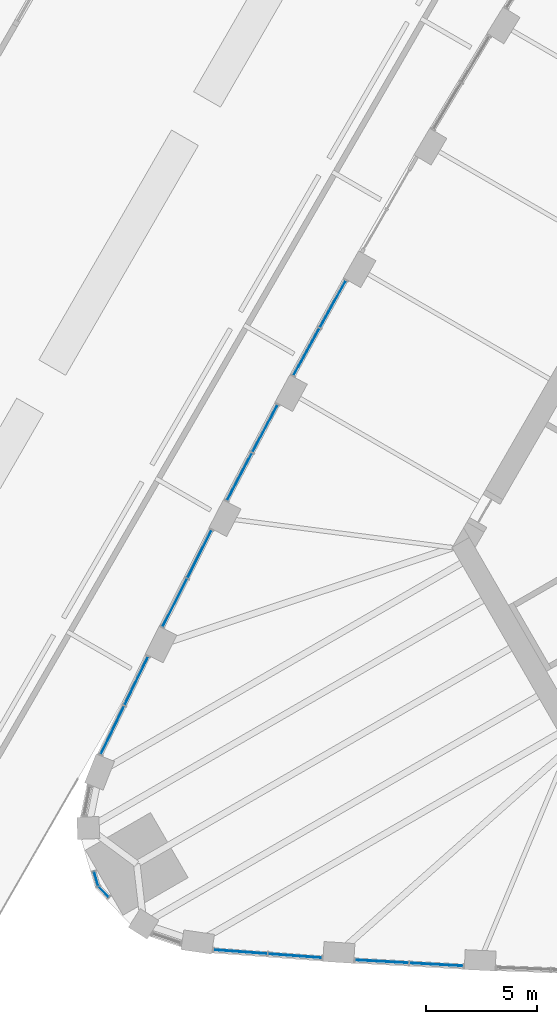
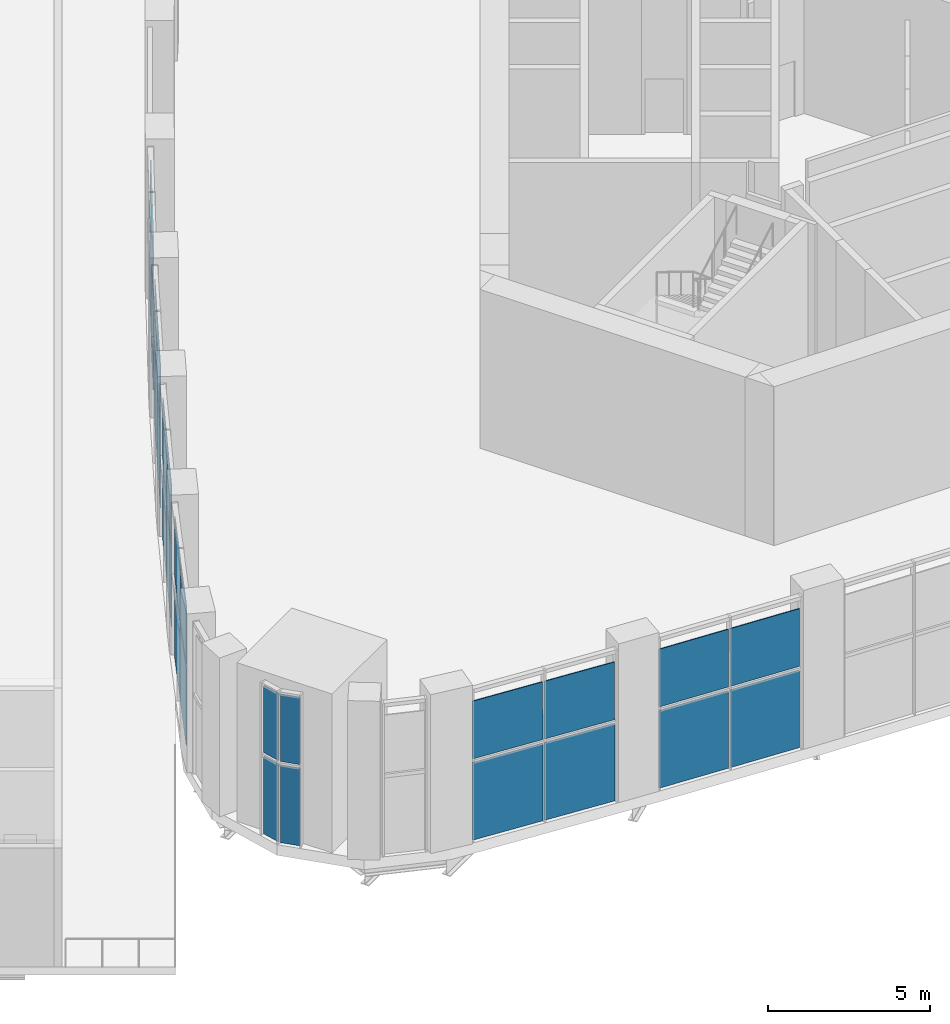
# One storey, part 17 of 41: 28 plates, 3 elements without a shape of their own.
"""IFC4 building model written with IfcOpenShell, lengths in metres."""

import ifcopenshell
import ifcopenshell.guid

model = None  # the IFC model being written
_history = None  # IfcOwnerHistory: only IFC2X3 demands one
_inside = {}  # id of a spatial element -> (the spatial element, [elements in it])
_under = {}  # id of a project, library or spatial element -> (it, [spatial elements below it])
_declared = {}  # id of a project -> (the project, [libraries it declares])
_typed = {}  # id of a type object -> (the type object, [elements of that type])
_made_of = {}  # id of a material, layer set ... -> (it, [elements and type objects made of it])


def new_model(schema):
    """Start an empty IFC model of exactly this schema.

    Asked for "IFC4X3", IfcOpenShell would pick the latest addendum, in which some entities
    have other attributes; the version numbers below select the first issue.
    IFC2X3 requires an IfcOwnerHistory on every rooted entity: one is made here for all.
    """
    global model, _history
    if schema == "IFC4X3":
        model = ifcopenshell.file(schema_version=(4, 3, 0, 0))
    else:
        model = ifcopenshell.file(schema=schema)
    _inside.clear()
    _under.clear()
    _declared.clear()
    _typed.clear()
    _made_of.clear()
    _history = None
    if model.schema == "IFC2X3":
        org = make("IfcOrganization", Name="unknown")
        user = make(
            "IfcPersonAndOrganization",
            ThePerson=make("IfcPerson", FamilyName="unknown"),
            TheOrganization=org,
        )
        app = make(
            "IfcApplication",
            ApplicationDeveloper=org,
            Version="unknown",
            ApplicationFullName="unknown",
            ApplicationIdentifier="unknown",
        )
        _history = make(
            "IfcOwnerHistory",
            OwningUser=user,
            OwningApplication=app,
            ChangeAction="ADDED",
            CreationDate=0,
        )
    return model


def make(cls, **values):
    """One entity of the class cls with the attributes given. An attribute that is None is left unset."""
    return model.create_entity(
        cls, **{name: value for name, value in values.items() if value is not None}
    )


def rooted(cls, **values):
    """An entity with a GlobalId (a new one), such as an element, a storey or a relation."""
    return make(cls, GlobalId=ifcopenshell.guid.new(), OwnerHistory=_history, **values)


def si_unit(unit_type, name, prefix=None):
    """IfcSIUnit, for example si_unit("LENGTHUNIT", "METRE", prefix="MILLI")."""
    return make("IfcSIUnit", UnitType=unit_type, Prefix=prefix, Name=name)


def assignment(units):
    """IfcUnitAssignment: the units of a project."""
    return None if units is None else make("IfcUnitAssignment", Units=units)


def point(xyz):
    """IfcCartesianPoint."""
    return None if xyz is None else make("IfcCartesianPoint", Coordinates=xyz)


def direction(xyz):
    """IfcDirection."""
    return None if xyz is None else make("IfcDirection", DirectionRatios=xyz)


def frame(location, z_axis=None, x_axis=None):
    """IfcAxis2Placement3D, a coordinate frame: its origin and axes. An axis left out is left unset."""
    return make(
        "IfcAxis2Placement3D",
        Location=point(location),
        Axis=direction(z_axis),
        RefDirection=direction(x_axis),
    )


def frame_2d(location, x_axis=None):
    """IfcAxis2Placement2D, a coordinate frame in the plane: its origin and x axis."""
    return make(
        "IfcAxis2Placement2D", Location=point(location), RefDirection=direction(x_axis)
    )


def origin():
    """The frame at (0, 0, 0) with its axes left unset."""
    return frame((0.0, 0.0, 0.0))


def origin_2d():
    """The frame at (0, 0) in the plane with its x axis left unset."""
    return frame_2d((0.0, 0.0))


def place(relative_to, where):
    """IfcLocalPlacement: puts the frame where relative to a parent placement (None: the world)."""
    return make(
        "IfcLocalPlacement", PlacementRelTo=relative_to, RelativePlacement=where
    )


def context(
    kind, dimensions, precision=None, world=None, true_north=None, identifier=None
):
    """IfcGeometricRepresentationContext, for example the 3D "Model" context."""
    return make(
        "IfcGeometricRepresentationContext",
        ContextIdentifier=identifier,
        ContextType=kind,
        CoordinateSpaceDimension=dimensions,
        Precision=precision,
        WorldCoordinateSystem=world,
        TrueNorth=true_north,
    )


def subcontext(parent, identifier, kind, view, scale=None):
    """IfcGeometricRepresentationSubContext, for example "Body" below "Model"."""
    return make(
        "IfcGeometricRepresentationSubContext",
        ContextIdentifier=identifier,
        ContextType=kind,
        ParentContext=parent,
        TargetScale=scale,
        TargetView=view,
    )


def project(units=None, contexts=None):
    """IfcProject with its units and contexts."""
    return rooted(
        "IfcProject",
        Name="project",
        RepresentationContexts=contexts,
        UnitsInContext=assignment(units),
    )


def spatial(cls, under=None, at=None, **own):
    """A site, building, storey or space (cls), placed at a placement, below another one or the project."""
    s = rooted(cls, ObjectPlacement=at, **own)
    if under is not None:
        _under.setdefault(under.id(), (under, []))[1].append(s)
    return s


def polyline(points):
    """IfcPolyline through the points."""
    return make("IfcPolyline", Points=[point(p) for p in points])


def profile(cls, at=None, kind="AREA", **sizes):
    """A parametric profile (cls). Its sizes go by their IFC names, for example OverallWidth=200.0."""
    return make(cls, ProfileType=kind, Position=at, **sizes)


def rectangle(**sizes):
    """IfcRectangleProfileDef."""
    return profile("IfcRectangleProfileDef", **sizes)


def outline(outer, holes=None, kind="AREA"):
    """IfcArbitraryClosedProfileDef: a profile drawn as a closed curve; with holes, ...WithVoids."""
    if holes is None:
        return make("IfcArbitraryClosedProfileDef", ProfileType=kind, OuterCurve=outer)
    return make(
        "IfcArbitraryProfileDefWithVoids",
        ProfileType=kind,
        OuterCurve=outer,
        InnerCurves=holes,
    )


def extrude(swept, where, along, depth):
    """IfcExtrudedAreaSolid: the profile swept, set in the frame where, extruded along a direction by depth."""
    return make(
        "IfcExtrudedAreaSolid",
        SweptArea=swept,
        Position=where,
        ExtrudedDirection=direction(along),
        Depth=depth,
    )


def shape(context_of_items, identifier, shape_type, items):
    """IfcShapeRepresentation: the items that make up one representation, for example the "Body"."""
    return make(
        "IfcShapeRepresentation",
        ContextOfItems=context_of_items,
        RepresentationIdentifier=identifier,
        RepresentationType=shape_type,
        Items=items,
    )


def material(Name=None, Category=None):
    """IfcMaterial."""
    return make("IfcMaterial", Name=Name, Category=Category)


def layer(
    of_material, thickness, ventilated=None, Name=None, Category=None, Priority=None
):
    """IfcMaterialLayer: one layer of a wall or slab, of a material (None: an air gap)."""
    return make(
        "IfcMaterialLayer",
        Material=of_material,
        LayerThickness=thickness,
        IsVentilated=ventilated,
        Name=Name,
        Category=Category,
        Priority=Priority,
    )


def layer_set(layers, Name=None):
    """IfcMaterialLayerSet."""
    return make("IfcMaterialLayerSet", MaterialLayers=layers, LayerSetName=Name)


def made_of(thing, what):
    """Note that an element or type object is made of a material, layer set ...; save() writes the relation."""
    if what is not None:
        _made_of.setdefault(what.id(), (what, []))[1].append(thing)
    return thing


def type_object(cls, material=None, **own):
    """A type object (cls), such as IfcWallType, which elements share."""
    return made_of(rooted(cls, **own), material)


def element(
    cls,
    number,
    at=None,
    inside=None,
    cuts=None,
    type_object=None,
    material=None,
    context=None,
    identifier="Body",
    shape_type=None,
    held_by="IfcProductDefinitionShape",
    body=None,
    shapes=None,
    **own,
):
    """One element of the class cls, such as IfcWall. Its Tag is "e" and its number.

    at: its placement. inside: the storey or other place that contains it. cuts: it is an
    opening in that element (IfcRelVoidsElement). A single representation is given by context,
    identifier, shape_type and body (its items); several are given by shapes. held_by: the class
    of the entity that holds the representations. save() writes the other relations.
    """
    e = rooted(cls, Tag="e%d" % number, ObjectPlacement=at, **own)
    if body is not None:
        shapes = [shape(context, identifier, shape_type, body)]
    if shapes is not None:
        e.Representation = make(held_by, Representations=shapes)
    if inside is not None:
        _inside.setdefault(inside.id(), (inside, []))[1].append(e)
    if cuts is not None:
        rooted(
            "IfcRelVoidsElement", RelatingBuildingElement=cuts, RelatedOpeningElement=e
        )
    if type_object is not None:
        _typed.setdefault(type_object.id(), (type_object, []))[1].append(e)
    return made_of(e, material)


def aggregate(whole, parts):
    """IfcRelAggregates: a whole, such as a stair, and the parts it consists of."""
    return rooted("IfcRelAggregates", RelatingObject=whole, RelatedObjects=parts)


def save(model, path):
    """Write the relations noted so far, then the file.

    IfcRelAggregates (storeys below a building ...), IfcRelContainedInSpatialStructure (elements
    in a storey), IfcRelDefinesByType, IfcRelAssociatesMaterial and IfcRelDeclares: one each for
    every whole, place, type object, material and project.
    """
    for whole, parts in _under.values():
        aggregate(whole, parts)
    for where, things in _inside.values():
        rooted(
            "IfcRelContainedInSpatialStructure",
            RelatedElements=things,
            RelatingStructure=where,
        )
    for kind, things in _typed.values():
        rooted("IfcRelDefinesByType", RelatedObjects=things, RelatingType=kind)
    for what, things in _made_of.values():
        rooted("IfcRelAssociatesMaterial", RelatedObjects=things, RelatingMaterial=what)
    for by, libraries in _declared.values():
        rooted("IfcRelDeclares", RelatingContext=by, RelatedDefinitions=libraries)
    model.write(path)


model = new_model("IFC4")

# Units and contexts
model_context = context("Model", 3, precision=1e-05, world=origin(), true_north=direction((0.0, 1.0)))
body_context = subcontext(model_context, "Body", "Model", "MODEL_VIEW")
ifc_project = project(units=[si_unit("LENGTHUNIT", "METRE"), si_unit("AREAUNIT", "SQUARE_METRE"), si_unit("VOLUMEUNIT", "CUBIC_METRE"), si_unit("PLANEANGLEUNIT", "RADIAN"), si_unit("MASSUNIT", "GRAM", prefix="KILO")], contexts=[model_context])

# Site, building, storey
site_placement = place(None, origin())
site = spatial("IfcSite", under=ifc_project, at=site_placement, CompositionType="ELEMENT")
building_placement = place(site_placement, origin())
building = spatial("IfcBuilding", under=site, at=building_placement, Name="Mestral Congress Tower", CompositionType="ELEMENT")
storey_placement = place(building_placement, frame((0.0, 0.0, 21.60009765625)))
storey = spatial("IfcBuildingStorey", under=building, at=storey_placement, Name="L04", CompositionType="ELEMENT", Elevation=21.60009765625)

# Curtain wall, plates
ifc_material = material(Name="Clear low-emissivity double glazing", Category="glass")
curtain_wall_type = type_object("IfcCurtainWallType", Name="Facade arrival lobby curtain wall", PredefinedType="USERDEFINED", material=ifc_material)
placement = place(storey_placement, origin())
curtain_wall_1 = element("IfcCurtainWall", 1, at=placement, inside=storey, type_object=curtain_wall_type, Name="Facade arrival lobby curtain wall face 1", ObjectType="CURTAIN WALL", PredefinedType="USERDEFINED")
ifc_layer = layer(ifc_material, 0.030029296875)
ifc_layer_set = layer_set([ifc_layer], Name="Clear low-emissivity double glazing")
plate_type = type_object("IfcPlateType", Name="Facade arrival lobby curtain wall panel", PredefinedType="CURTAIN_PANEL", material=ifc_layer_set)
plate_1_placement = place(storey_placement, frame((-26.83447265625, -22.1748046875, 0.0), z_axis=(0.0, 0.0, 1.0), x_axis=(0.997267232005, -0.073878738281, 0.0)))
plate_1 = element("IfcPlate", 2, at=plate_1_placement, type_object=plate_type, Name="Arrival lobby glass unit", PredefinedType="CURTAIN_PANEL", context=body_context, shape_type="SweptSolid", body=[
    extrude(rectangle(XDim=2.412841796875, YDim=0.030029296875, at=origin_2d()), origin(), (0.0, 0.0, 1.0), 2.929931640625),
])
plate_2_placement = place(storey_placement, frame((-25.632568359375, -22.278564453125, 3.06982421875), z_axis=(-0.073914403098, -0.997262637834, 0.001972864586), x_axis=(-0.997264578595, 0.073914547139, 9.9537e-08)))
plate_2 = element("IfcPlate", 3, at=plate_2_placement, type_object=plate_type, Name="Arrival lobby glass unit", PredefinedType="CURTAIN_PANEL", context=body_context, shape_type="SweptSolid", body=[
    extrude(outline(polyline([(0.0, 0.0), (2.412859184715745, 5.421010862427522e-20), (2.4126792301538518, -2.1779825140440545), (-0.0001619090181580714, -2.1779829943811184), (0.0, 0.0)])), origin(), (0.0, 0.0, -1.0), 0.030029296875),
])
plate_3_placement = place(storey_placement, frame((-24.368408203125, -22.357421875, 0.0), z_axis=(0.0, 0.0, 1.0), x_axis=(0.997267232005, -0.073878738281, 0.0)))
plate_3 = element("IfcPlate", 4, at=plate_3_placement, type_object=plate_type, Name="Arrival lobby glass unit", PredefinedType="CURTAIN_PANEL", context=body_context, shape_type="SweptSolid", body=[
    extrude(rectangle(XDim=2.412841796875, YDim=0.030029296875, at=origin_2d()), origin(), (0.0, 0.0, 1.0), 2.929931640625),
])
plate_4_placement = place(storey_placement, frame((-23.16650390625, -22.461181640625, 3.06982421875), z_axis=(-0.073867806831, -0.99726598661, 0.002024614894), x_axis=(-0.997268030544, 0.073867958241, 7.567e-09)))
plate_4 = element("IfcPlate", 5, at=plate_4_placement, type_object=plate_type, Name="Arrival lobby glass unit", PredefinedType="CURTAIN_PANEL", context=body_context, shape_type="SweptSolid", body=[
    extrude(outline(polyline([(0.0, 0.0), (2.412597668585944, -5.421010862427522e-20), (2.412678826477267, -2.177982961220248), (-0.0001623157489459584, -2.1779829977343383), (0.0, 0.0)])), origin(), (0.0, 0.0, -1.0), 0.030029296875),
])
plate_5_placement = place(storey_placement, frame((-20.438720703125, -22.612060546875, 0.0), z_axis=(0.0, 0.0, 1.0), x_axis=(0.99846270499, -0.055427671282, 0.0)))
plate_5 = element("IfcPlate", 6, at=plate_5_placement, type_object=plate_type, Name="Arrival lobby glass unit", PredefinedType="CURTAIN_PANEL", context=body_context, shape_type="SweptSolid", body=[
    extrude(rectangle(XDim=2.4091796875, YDim=0.030029296875, at=origin_2d()), origin(), (0.0, 0.0, 1.0), 2.929931640625),
])
plate_6_placement = place(storey_placement, frame((-19.23681640625, -22.693603515625, 3.06982421875), z_axis=(-0.055486751511, -0.998457490203, 0.001964857396), x_axis=(-0.998459417552, 0.055486858814, 9.9411e-08)))
plate_6 = element("IfcPlate", 7, at=plate_6_placement, type_object=plate_type, Name="Arrival lobby glass unit", PredefinedType="CURTAIN_PANEL", context=body_context, shape_type="SweptSolid", body=[
    extrude(outline(polyline([(0.0, 0.0), (2.4089914502821443, 0.0), (2.4089781944300452, -2.177982480379519), (2.9074429091399224e-07, -2.177982959340665), (0.0, 0.0)])), origin(), (0.0, 0.0, -1.0), 0.030029296875),
])
plate_7_placement = place(storey_placement, frame((-17.973388671875, -22.7490234375, 0.0), z_axis=(0.0, 0.0, 1.0), x_axis=(0.99846270499, -0.055427671282, 0.0)))
plate_7 = element("IfcPlate", 8, at=plate_7_placement, type_object=plate_type, Name="Arrival lobby glass unit", PredefinedType="CURTAIN_PANEL", context=body_context, shape_type="SweptSolid", body=[
    extrude(rectangle(XDim=2.4091796875, YDim=0.030029296875, at=origin_2d()), origin(), (0.0, 0.0, 1.0), 2.929931640625),
])
plate_8_placement = place(storey_placement, frame((-16.771484375, -22.830322265625, 3.06982421875), z_axis=(-0.055436228294, -0.998460184928, 0.002020818244), x_axis=(-0.998462223643, 0.055436341487, 0.0)))
plate_8 = element("IfcPlate", 9, at=plate_8_placement, type_object=plate_type, Name="Arrival lobby glass unit", PredefinedType="CURTAIN_PANEL", context=body_context, shape_type="SweptSolid", body=[
    extrude(outline(polyline([(0.0, 0.0), (2.4089779067691066, 0.0), (2.408977758312839, -2.177982962750997), (-1.4845626755125016e-07, -2.177982962750997), (0.0, 0.0)])), origin(), (0.0, 0.0, -1.0), 0.030029296875),
])
aggregate(curtain_wall_1, [plate_1, plate_2, plate_3, plate_4, plate_5, plate_6, plate_7, plate_8])

curtain_wall_2 = element("IfcCurtainWall", 10, at=placement, inside=storey, type_object=curtain_wall_type, Name="Facade arrival lobby curtain wall face 3", ObjectType="CURTAIN WALL", PredefinedType="USERDEFINED")
plate_9_placement = place(storey_placement, frame((-22.656982421875, 7.110595703125, 0.0), z_axis=(0.0, 0.0, 1.0), x_axis=(-0.483905674001, -0.875120162417, 0.0)))
plate_9 = element("IfcPlate", 11, at=plate_9_placement, type_object=plate_type, Name="Arrival lobby glass unit", PredefinedType="CURTAIN_PANEL", context=body_context, shape_type="SweptSolid", body=[
    extrude(rectangle(XDim=2.4091796875, YDim=0.030029296875, at=origin_2d()), origin(), (0.0, 0.0, 1.0), 2.929931640625),
])
plate_10_placement = place(storey_placement, frame((-23.252685546875, 6.0634765625, 3.06982421875), z_axis=(-0.87513354131, 0.483877102797, 0.002057732383), x_axis=(0.483878127232, 0.875135394089, 0.0)))
plate_10 = element("IfcPlate", 12, at=plate_10_placement, type_object=plate_type, Name="Arrival lobby glass unit", PredefinedType="CURTAIN_PANEL", context=body_context, shape_type="SweptSolid", body=[
    extrude(outline(polyline([(0.0, 0.0), (2.409225420137006, 0.0), (2.409192664152853, -2.1779831267060845), (-3.275598415283606e-05, -2.1779831267060845), (0.0, 0.0)])), origin(), (0.0, 0.0, -1.0), 0.030029296875),
])
plate_11_placement = place(storey_placement, frame((-23.851806640625, 4.94970703125, 0.0), z_axis=(0.0, 0.0, 1.0), x_axis=(-0.483905674001, -0.875120162417, 0.0)))
plate_11 = element("IfcPlate", 13, at=plate_11_placement, type_object=plate_type, Name="Arrival lobby glass unit", PredefinedType="CURTAIN_PANEL", context=body_context, shape_type="SweptSolid", body=[
    extrude(rectangle(XDim=2.4091796875, YDim=0.030029296875, at=origin_2d()), origin(), (0.0, 0.0, 1.0), 2.929931640625),
])
plate_12_placement = place(storey_placement, frame((-24.447509765625, 3.90283203125, 3.06982421875), z_axis=(-0.875109811652, 0.483920017445, 0.002057733118), x_axis=(0.483921041971, 0.875111664382, 0.0)))
plate_12 = element("IfcPlate", 14, at=plate_12_placement, type_object=plate_type, Name="Arrival lobby glass unit", PredefinedType="CURTAIN_PANEL", context=body_context, shape_type="SweptSolid", body=[
    extrude(outline(polyline([(0.0, 0.0), (2.409011766931498, -4.336808689942018e-19), (2.4089792307235163, -2.177983126709379), (-3.253620798186318e-05, -2.177983126709379), (0.0, 0.0)])), origin(), (0.0, 0.0, -1.0), 0.030029296875),
])
plate_13_placement = place(storey_placement, frame((-25.724609375, 1.48779296875, 0.0), z_axis=(0.0, 0.0, 1.0), x_axis=(-0.467650605293, -0.883913407167, 0.0)))
plate_13 = element("IfcPlate", 15, at=plate_13_placement, type_object=plate_type, Name="Arrival lobby glass unit", PredefinedType="CURTAIN_PANEL", context=body_context, shape_type="SweptSolid", body=[
    extrude(rectangle(XDim=2.4091796875, YDim=0.030029296875, at=origin_2d()), origin(), (0.0, 0.0, 1.0), 2.929931640625),
])
plate_14_placement = place(storey_placement, frame((-26.30078125, 0.429931640625, 3.06982421875), z_axis=(-0.883924182446, 0.467626040688, 0.001981352558), x_axis=(0.46762695851, 0.883925917526, -4.1797e-08)))
plate_14 = element("IfcPlate", 16, at=plate_14_placement, type_object=plate_type, Name="Arrival lobby glass unit", PredefinedType="CURTAIN_PANEL", context=body_context, shape_type="SweptSolid", body=[
    extrude(outline(polyline([(0.0, 0.0), (2.408992343561865, 4.336808689942018e-19), (2.4090925025287993, -2.177982891437891), (-0.00022980999694180985, -2.177982690048365), (0.0, 0.0)])), origin(), (0.0, 0.0, -1.0), 0.030029296875),
])
plate_15_placement = place(storey_placement, frame((-26.87939453125, -0.694580078125, 0.0), z_axis=(0.0, 0.0, 1.0), x_axis=(-0.467650605293, -0.883913407167, 0.0)))
plate_15 = element("IfcPlate", 17, at=plate_15_placement, type_object=plate_type, Name="Arrival lobby glass unit", PredefinedType="CURTAIN_PANEL", context=body_context, shape_type="SweptSolid", body=[
    extrude(rectangle(XDim=2.4091796875, YDim=0.030029296875, at=origin_2d()), origin(), (0.0, 0.0, 1.0), 2.929931640625),
])
plate_16_placement = place(storey_placement, frame((-27.45556640625, -1.752685546875, 3.06982421875), z_axis=(-0.883934005724, 0.467607372439, 0.002004685918), x_axis=(0.467608312044, 0.883935781891, 0.0)))
plate_16 = element("IfcPlate", 18, at=plate_16_placement, type_object=plate_type, Name="Arrival lobby glass unit", PredefinedType="CURTAIN_PANEL", context=body_context, shape_type="SweptSolid", body=[
    extrude(outline(polyline([(0.0, 0.0), (2.4089923440978636, 0.0), (2.4090925019927782, -2.17798289203079), (0.00010015789491482914, -2.17798289203079), (0.0, 0.0)])), origin(), (0.0, 0.0, -1.0), 0.030029296875),
])
plate_17_placement = place(storey_placement, frame((-28.687744140625, -4.19091796875, 0.0), z_axis=(0.0, 0.0, 1.0), x_axis=(-0.451217120684, -0.89241420316, 0.0)))
plate_17 = element("IfcPlate", 19, at=plate_17_placement, type_object=plate_type, Name="Arrival lobby glass unit", PredefinedType="CURTAIN_PANEL", context=body_context, shape_type="SweptSolid", body=[
    extrude(rectangle(XDim=2.4091796875, YDim=0.030029296875, at=origin_2d()), origin(), (0.0, 0.0, 1.0), 2.929931640625),
])
plate_18_placement = place(storey_placement, frame((-29.244384765625, -5.25927734375, 3.06982421875), z_axis=(-0.892430239132, 0.451180947606, 0.002005193522), x_axis=(0.451181854663, 0.892432033279, 0.0)))
plate_18 = element("IfcPlate", 20, at=plate_18_placement, type_object=plate_type, Name="Arrival lobby glass unit", PredefinedType="CURTAIN_PANEL", context=body_context, shape_type="SweptSolid", body=[
    extrude(outline(polyline([(0.0, 0.0), (2.409037622562586, 0.0), (2.4090570203673636, -2.177982894247365), (1.939780477741072e-05, -2.177982894247365), (0.0, 0.0)])), origin(), (0.0, 0.0, -1.0), 0.030029296875),
])
plate_19_placement = place(storey_placement, frame((-29.802001953125, -6.394287109375, 0.0), z_axis=(0.0, 0.0, 1.0), x_axis=(-0.451217120684, -0.89241420316, 0.0)))
plate_19 = element("IfcPlate", 21, at=plate_19_placement, type_object=plate_type, Name="Arrival lobby glass unit", PredefinedType="CURTAIN_PANEL", context=body_context, shape_type="SweptSolid", body=[
    extrude(rectangle(XDim=2.4091796875, YDim=0.030029296875, at=origin_2d()), origin(), (0.0, 0.0, 1.0), 2.929931640625),
])
plate_20_placement = place(storey_placement, frame((-30.3583984375, -7.462646484375, 3.06982421875), z_axis=(-0.892430239132, 0.451180947606, 0.002005193522), x_axis=(0.451181854663, 0.892432033279, 0.0)))
plate_20 = element("IfcPlate", 22, at=plate_20_placement, type_object=plate_type, Name="Arrival lobby glass unit", PredefinedType="CURTAIN_PANEL", context=body_context, shape_type="SweptSolid", body=[
    extrude(outline(polyline([(0.0, 0.0), (2.409037622562586, 0.0), (2.4090570203673636, -2.177982894247365), (1.939780477741072e-05, -2.177982894247365), (0.0, 0.0)])), origin(), (0.0, 0.0, -1.0), 0.030029296875),
])
plate_21_placement = place(storey_placement, frame((-31.54638671875, -9.925048828125, 0.0), z_axis=(0.0, 0.0, 1.0), x_axis=(-0.434657467366, -0.90059585057, 0.0)))
plate_21 = element("IfcPlate", 23, at=plate_21_placement, type_object=plate_type, Name="Arrival lobby glass unit", PredefinedType="CURTAIN_PANEL", context=body_context, shape_type="SweptSolid", body=[
    extrude(rectangle(XDim=2.412841796875, YDim=0.030029296875, at=origin_2d()), origin(), (0.0, 0.0, 1.0), 2.929931640625),
])
plate_22_placement = place(storey_placement, frame((-32.083740234375, -11.005126953125, 3.06982421875), z_axis=(-0.900630405926, 0.434581237328, 0.002005014729), x_axis=(0.434582110857, 0.900632216237, 0.0)))
plate_22 = element("IfcPlate", 24, at=plate_22_placement, type_object=plate_type, Name="Arrival lobby glass unit", PredefinedType="CURTAIN_PANEL", context=body_context, shape_type="SweptSolid", body=[
    extrude(outline(polyline([(0.0, 0.0), (2.4128558405400207, 0.0), (2.412794379613218, -2.1779828934665586), (-6.146092680281369e-05, -2.1779828934665586), (0.0, 0.0)])), origin(), (0.0, 0.0, -1.0), 0.030029296875),
])
plate_23_placement = place(storey_placement, frame((-32.62109375, -12.152099609375, 0.0), z_axis=(0.0, 0.0, 1.0), x_axis=(-0.434657467366, -0.90059585057, 0.0)))
plate_23 = element("IfcPlate", 25, at=plate_23_placement, type_object=plate_type, Name="Arrival lobby glass unit", PredefinedType="CURTAIN_PANEL", context=body_context, shape_type="SweptSolid", body=[
    extrude(rectangle(XDim=2.412841796875, YDim=0.030029296875, at=origin_2d()), origin(), (0.0, 0.0, 1.0), 2.929931640625),
])
plate_24_placement = place(storey_placement, frame((-33.15869140625, -13.232177734375, 3.06982421875), z_axis=(-0.900590801011, 0.434663305375, 0.002005017292), x_axis=(0.434664179072, 0.900592611247, 0.0)))
plate_24 = element("IfcPlate", 26, at=plate_24_placement, type_object=plate_type, Name="Arrival lobby glass unit", PredefinedType="CURTAIN_PANEL", context=body_context, shape_type="SweptSolid", body=[
    extrude(outline(polyline([(0.0, 0.0), (2.412961949706492, -2.168404344971009e-19), (2.412900886712149, -2.1779828934777514), (-6.106299434298509e-05, -2.1779828934777514), (0.0, 0.0)])), origin(), (0.0, 0.0, -1.0), 0.030029296875),
])
aggregate(curtain_wall_2, [plate_9, plate_10, plate_11, plate_12, plate_13, plate_14, plate_15, plate_16, plate_17, plate_18, plate_19, plate_20, plate_21, plate_22, plate_23, plate_24])

curtain_wall_3 = element("IfcCurtainWall", 27, at=placement, inside=storey, type_object=curtain_wall_type, Name="Facade arrival lobby curtain wall corner 3", ObjectType="CURTAIN WALL", PredefinedType="USERDEFINED")
plate_25_placement = place(storey_placement, frame((-33.3583984375, -18.87255859375, 0.0), z_axis=(0.0, 0.0, 1.0), x_axis=(0.278857021027, -0.960332630823, 0.0)))
plate_25 = element("IfcPlate", 28, at=plate_25_placement, type_object=plate_type, Name="Arrival lobby glass unit", PredefinedType="CURTAIN_PANEL", context=body_context, shape_type="SweptSolid", body=[
    extrude(rectangle(XDim=0.643798828125, YDim=0.030029296875, at=origin_2d()), origin(), (0.0, 0.0, 1.0), 2.929931640625),
])
plate_26_placement = place(storey_placement, frame((-33.3583984375, -18.87255859375, 3.06982421875), z_axis=(0.0, 0.0, 1.0), x_axis=(0.278857021027, -0.960332630823, 0.0)))
plate_26 = element("IfcPlate", 29, at=plate_26_placement, type_object=plate_type, Name="Arrival lobby glass unit", PredefinedType="CURTAIN_PANEL", context=body_context, shape_type="SweptSolid", body=[
    extrude(rectangle(XDim=0.643798828125, YDim=0.030029296875, at=origin_2d()), origin(), (0.0, 0.0, 1.0), 2.5400390625),
])
plate_27_placement = place(storey_placement, frame((-33.02001953125, -19.458740234375, 0.0), z_axis=(0.0, 0.0, 1.0), x_axis=(0.695569294517, -0.718459015202, 0.0)))
plate_27 = element("IfcPlate", 30, at=plate_27_placement, type_object=plate_type, Name="Arrival lobby glass unit", PredefinedType="CURTAIN_PANEL", context=body_context, shape_type="SweptSolid", body=[
    extrude(rectangle(XDim=0.630859375, YDim=0.030029296875, at=origin_2d()), origin(), (0.0, 0.0, 1.0), 2.929931640625),
])
plate_28_placement = place(storey_placement, frame((-33.02001953125, -19.458740234375, 3.06982421875), z_axis=(0.0, 0.0, 1.0), x_axis=(0.695569294517, -0.718459015202, 0.0)))
plate_28 = element("IfcPlate", 31, at=plate_28_placement, type_object=plate_type, Name="Arrival lobby glass unit", PredefinedType="CURTAIN_PANEL", context=body_context, shape_type="SweptSolid", body=[
    extrude(rectangle(XDim=0.630859375, YDim=0.030029296875, at=origin_2d()), origin(), (0.0, 0.0, 1.0), 2.5400390625),
])
aggregate(curtain_wall_3, [plate_25, plate_26, plate_27, plate_28])

save(model, "model.ifc")
